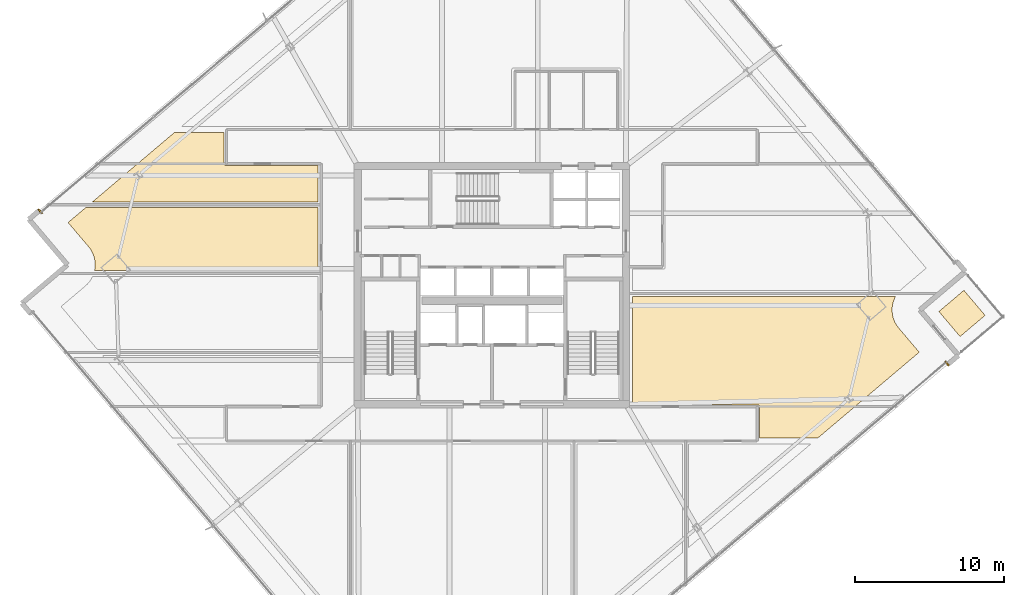
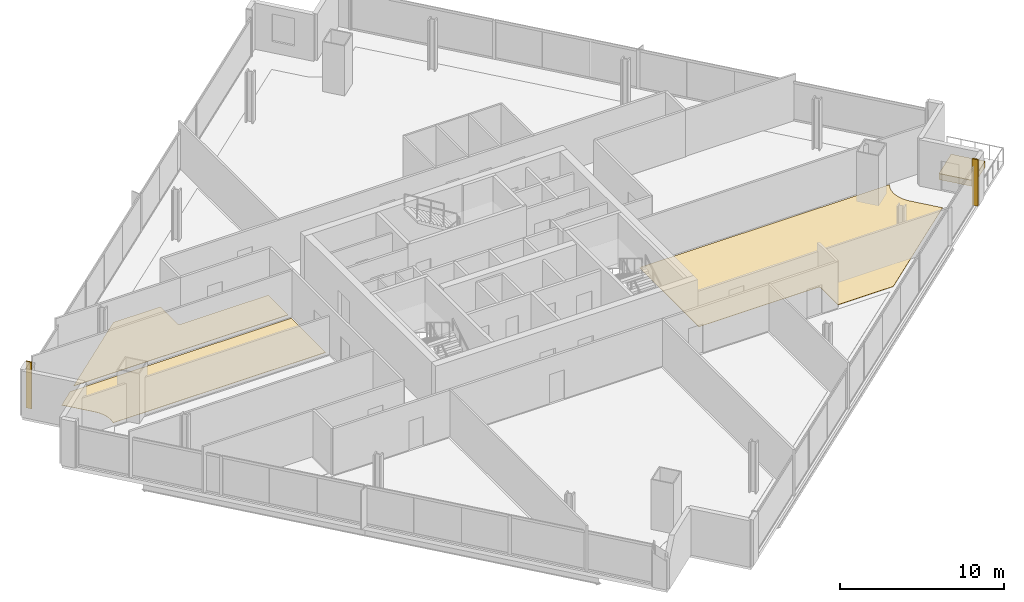
# One storey, part 32 of 34: 6 coverings.
"""IFC4 building model written with IfcOpenShell, lengths in metres."""

from ifc_helpers import new_model, si_unit, direction, frame, origin, origin_2d, place, context, subcontext, project, spatial, polyline, rectangle, outline, extrude, source, transform, mapped, material, layer, layer_set, type_object, element, save


model = new_model("IFC4")

# Units and contexts
model_context = context("Model", 3, precision=1e-05, world=origin(), true_north=direction((0.0, 1.0)))
body_context = subcontext(model_context, "Body", "Model", "MODEL_VIEW")
ifc_project = project(units=[si_unit("LENGTHUNIT", "METRE"), si_unit("AREAUNIT", "SQUARE_METRE"), si_unit("VOLUMEUNIT", "CUBIC_METRE"), si_unit("PLANEANGLEUNIT", "RADIAN"), si_unit("MASSUNIT", "GRAM", prefix="KILO")], contexts=[model_context])

# Site, building, storey
site_placement = place(None, origin())
site = spatial("IfcSite", under=ifc_project, at=site_placement, CompositionType="ELEMENT")
building_placement = place(site_placement, origin())
building = spatial("IfcBuilding", under=site, at=building_placement, Name="Haldenkirk Collegiate Tower", CompositionType="ELEMENT")
storey_placement = place(building_placement, frame((0.0, 0.0, 163.199951171875)))
storey = spatial("IfcBuildingStorey", under=building, at=storey_placement, Name="L40", CompositionType="ELEMENT", Elevation=163.199951171875)

# Coverings
ifc_material_1 = material(Name="Polished collegiate terrazzo", Category="concrete")
ifc_layer_1 = layer(ifc_material_1, 0.02490234375)
ifc_layer_set_1 = layer_set([ifc_layer_1], Name="Polished collegiate terrazzo")
covering_type_1 = type_object("IfcCoveringType", Name="COV-FLOOR-TERRAZZO", PredefinedType="FLOORING", material=ifc_layer_set_1)
covering_1_placement = place(storey_placement, origin())
element("IfcCovering", 1, at=covering_1_placement, inside=storey, type_object=covering_type_1, Name="L40 academic room finish 10", PredefinedType="FLOORING", context=body_context, shape_type="SweptSolid", body=[
    extrude(outline(polyline([(14.708740234375, 36.25), (18.030029296875, 36.25), (18.030029296875, 34.14990234375), (18.030517578125, 34.13818359375), (18.0322265625, 34.126708984375), (18.03515625, 34.115234375), (18.0390625, 34.10400390625), (18.044189453125, 34.093505859375), (18.05029296875, 34.083251953125), (18.05712890625, 34.073974609375), (18.065185546875, 34.065185546875), (18.073974609375, 34.05712890625), (18.083251953125, 34.05029296875), (18.093505859375, 34.044189453125), (18.10400390625, 34.0390625), (18.115234375, 34.03515625), (18.126708984375, 34.0322265625), (18.13818359375, 34.030517578125), (18.14990234375, 34.030029296875), (24.35009765625, 34.030029296875), (24.35009765625, 31.60009765625), (9.2158203125, 31.60009765625), (14.708740234375, 36.25)])), origin(), (0.0, 0.0, 1.0), 0.025146484375),
])
ifc_material_2 = material(Name="Engineered collegiate oak acoustic flooring", Category="wood")
ifc_layer_2 = layer(ifc_material_2, 0.02197265625)
ifc_layer_set_2 = layer_set([ifc_layer_2], Name="Engineered collegiate oak acoustic flooring")
covering_type_2 = type_object("IfcCoveringType", Name="COV-FLOOR-TIMBER", PredefinedType="FLOORING", material=ifc_layer_set_2)
covering_2_placement = place(storey_placement, origin())
element("IfcCovering", 2, at=covering_2_placement, inside=storey, type_object=covering_type_2, Name="L40 academic room finish 09", PredefinedType="FLOORING", context=body_context, shape_type="SweptSolid", body=[
    extrude(outline(polyline([(9.3505859375, 27.0), (9.357666015625, 27.03076171875), (9.35986328125, 27.042236328125), (9.382568359375, 27.21240234375), (9.38330078125, 27.22412109375), (9.38916015625, 27.395751953125), (9.388916015625, 27.40771484375), (9.3779296875, 27.5791015625), (9.376708984375, 27.5908203125), (9.348876953125, 27.76025390625), (9.346435546875, 27.771728515625), (9.302001953125, 27.937744140625), (9.298583984375, 27.94873046875), (9.23828125, 28.109619140625), (9.233642578125, 28.12060546875), (9.15771484375, 28.274658203125), (9.152099609375, 28.284912109375), (9.0615234375, 28.430908203125), (9.0546875, 28.4404296875), (8.950439453125, 28.576904296875), (8.94677734375, 28.581298828125), (7.570556640625, 30.20703125), (8.743408203125, 31.199951171875), (24.35009765625, 31.199951171875), (24.35009765625, 27.0), (9.3505859375, 27.0)])), origin(), (0.0, 0.0, 1.0), 0.02197265625),
])
covering_3_placement = place(storey_placement, origin())
element("IfcCovering", 3, at=covering_3_placement, inside=storey, type_object=covering_type_2, Name="L40 academic room finish 11", PredefinedType="FLOORING", context=body_context, shape_type="SweptSolid", body=[
    extrude(outline(polyline([(63.0908203125, 25.25), (63.06298828125, 25.201904296875), (63.0576171875, 25.19140625), (62.98681640625, 25.03515625), (62.982421875, 25.024169921875), (62.927001953125, 24.86181640625), (62.923828125, 24.850341796875), (62.884521484375, 24.68310546875), (62.88232421875, 24.67138671875), (62.85986328125, 24.501220703125), (62.85888671875, 24.489501953125), (62.85302734375, 24.318115234375), (62.853271484375, 24.30615234375), (62.864501953125, 24.134765625), (62.86572265625, 24.123046875), (62.893310546875, 23.95361328125), (62.89599609375, 23.94189453125), (62.940185546875, 23.776123046875), (62.943603515625, 23.764892578125), (63.00390625, 23.604248046875), (63.0087890625, 23.59326171875), (63.08447265625, 23.439208984375), (63.090087890625, 23.428955078125), (63.180908203125, 23.282958984375), (63.1875, 23.273193359375), (63.291748046875, 23.136962890625), (63.29541015625, 23.13232421875), (64.671875, 21.506591796875), (57.87158203125, 15.75), (53.969970703125, 15.75), (53.969970703125, 17.85009765625), (53.969482421875, 17.86181640625), (53.9677734375, 17.873291015625), (53.96484375, 17.884765625), (53.9609375, 17.89599609375), (53.955810546875, 17.906494140625), (53.94970703125, 17.916748046875), (53.94287109375, 17.926025390625), (53.934814453125, 17.934814453125), (53.926025390625, 17.94287109375), (53.916748046875, 17.94970703125), (53.906494140625, 17.955810546875), (53.89599609375, 17.9609375), (53.884765625, 17.96484375), (53.873291015625, 17.9677734375), (53.86181640625, 17.969482421875), (53.85009765625, 17.969970703125), (45.449951171875, 17.969970703125), (45.449951171875, 25.25), (63.0908203125, 25.25)])), origin(), (0.0, 0.0, 1.0), 0.02197265625),
])
ifc_material_3 = material(Name="Precast concrete f'c 40 MPa", Category="concrete")
ifc_layer_3 = layer(ifc_material_3, 0.449951171875)
ifc_layer_set_3 = layer_set([ifc_layer_3], Name="Precast concrete f'c 40 MPa")
covering_type_3 = type_object("IfcCoveringType", Name="COV-PLANTER-450", PredefinedType="USERDEFINED", material=ifc_layer_set_3)
covering_4_placement = place(storey_placement, origin())
element("IfcCovering", 4, at=covering_4_placement, inside=storey, type_object=covering_type_3, Name="L40 planted garden planter bed", ObjectType="PLANTER", PredefinedType="USERDEFINED", context=body_context, shape_type="SweptSolid", body=[
    extrude(outline(polyline([(67.41259765625, 22.55615234375), (65.9912109375, 24.235107421875), (67.67041015625, 25.65673828125), (69.091796875, 23.9775390625), (67.41259765625, 22.55615234375)])), origin(), (0.0, 0.0, 1.0), 0.449951171875),
])
ifc_material_4 = material(Name="Anodised architectural bronze aluminium", Category="aluminium")
ifc_layer_4 = layer(ifc_material_4, 0.06005859375)
ifc_layer_set_4 = layer_set([ifc_layer_4], Name="Anodised architectural bronze aluminium")
covering_type_4 = type_object("IfcCoveringType", Name="COV-CLAD-BRONZE-60", PredefinedType="CLADDING", material=ifc_layer_set_4)
shared_shape = source(origin(), body_context, "Body", "SweptSolid", [
    extrude(rectangle(XDim=0.10009765625, YDim=0.3798828125, at=origin_2d()), origin(), (0.0, 0.0, 1.0), 3.4599609375),
])
for number, where, z_axis, x_axis, name in (
    (5, (66.539306640625, 20.755615234375, 0.0), (0.0, 0.0, 1.0), (-0.763232469783, -0.646123979643, 0.0), "L40 recessed curtain-wall bronze jamb closure SJL"),
    (6, (5.702880859375, 30.958251953125, 0.0), (0.0, 0.0, 1.0), (0.763232469783, 0.646123979643, 0.0), "L40 recessed curtain-wall bronze jamb closure NJL"),
):
    element("IfcCovering", number, at=place(storey_placement, frame(where, z_axis=z_axis, x_axis=x_axis)), inside=storey, type_object=covering_type_4, Name=name, PredefinedType="CLADDING", context=body_context, shape_type="MappedRepresentation", body=[
        mapped(shared_shape, transform((0.0, 0.0, 0.0), x_axis=(1.0, 0.0, 0.0), y_axis=(0.0, 1.0, 0.0), z_axis=(0.0, 0.0, 1.0), scale=1.0)),
    ])

save(model, "model.ifc")
